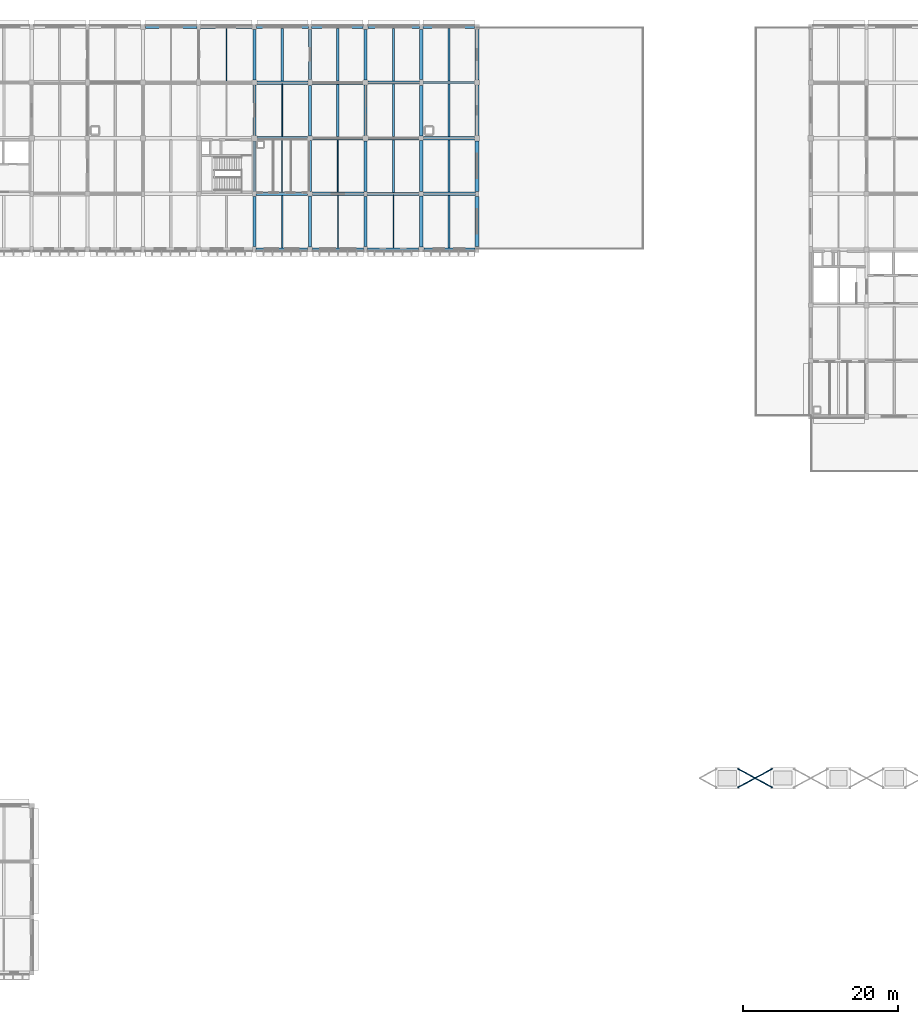
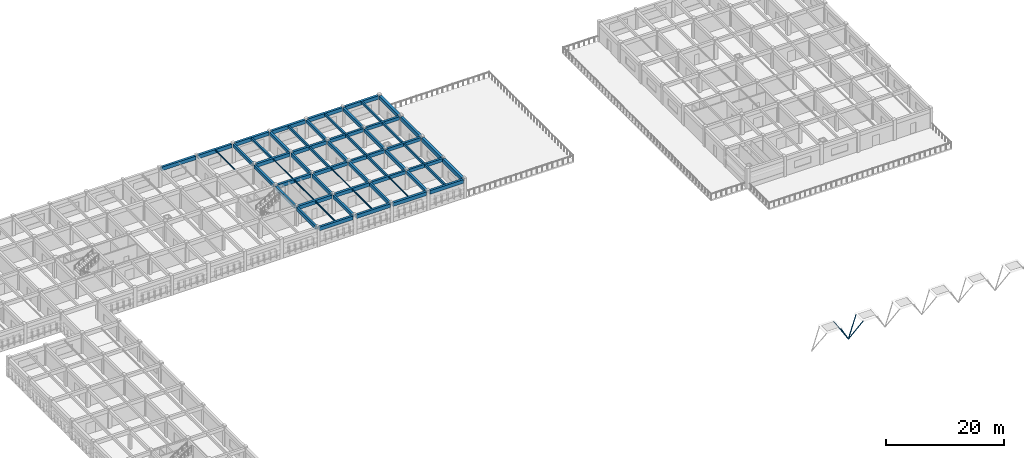
# One storey, part 7 of 38: 59 beams, 4 members.
"""IFC4 building model written with IfcOpenShell, lengths in metres."""

from ifc_helpers import new_model, si_unit, direction, frame, origin, origin_2d, place, context, subcontext, project, spatial, rectangle, hollow_circle, i_section, extrude, material, material_profile, profile_set, type_object, element, save


model = new_model("IFC4")

# Units and contexts
model_context = context("Model", 3, precision=1e-05, world=origin(), true_north=direction((0.0, 1.0)))
body_context = subcontext(model_context, "Body", "Model", "MODEL_VIEW")
ifc_project = project(units=[si_unit("LENGTHUNIT", "METRE"), si_unit("AREAUNIT", "SQUARE_METRE"), si_unit("VOLUMEUNIT", "CUBIC_METRE"), si_unit("PLANEANGLEUNIT", "RADIAN"), si_unit("MASSUNIT", "GRAM", prefix="KILO")], contexts=[model_context])

# Site, building, storey
site_placement = place(None, origin())
site = spatial("IfcSite", under=ifc_project, at=site_placement, CompositionType="ELEMENT")
building_placement = place(site_placement, origin())
building = spatial("IfcBuilding", under=site, at=building_placement, Name="Thalmaran Polytechnic", CompositionType="ELEMENT")
storey_placement = place(building_placement, frame((0.0, 0.0, 18.60009765625)))
storey = spatial("IfcBuildingStorey", under=building, at=storey_placement, Name="L04", CompositionType="ELEMENT", Elevation=18.60009765625)

# Beams
ifc_material_1 = material(Name="Concrete C40/50", Category="concrete")
ifc_material_profile_1 = material_profile(ifc_material_1, rectangle(XDim=0.449951171875, YDim=0.72509765625, at=origin_2d()), Name="RC 450x725")
ifc_profile_set_1 = profile_set([ifc_material_profile_1], Name="Concrete C40/50")
beam_type_1 = type_object("IfcBeamType", Name="BM-RC04", PredefinedType="BEAM", material=ifc_profile_set_1)
beam_1_placement = place(storey_placement, frame((65.010009765625, 100.800048828125, 3.59228515625), z_axis=(1.0, 0.0, 0.0), x_axis=(0.0, 1.0, 0.0)))
element("IfcBeam", 1, at=beam_1_placement, inside=storey, type_object=beam_type_1, Name="Grid Beam B04 L04 X(9,14)", PredefinedType="BEAM", context=body_context, shape_type="SweptSolid", body=[
    extrude(rectangle(XDim=0.449951171875, YDim=0.72509765625, at=origin_2d()), origin(), (0.0, 0.0, 1.0), 6.679931640625),
])
beam_2_placement = place(storey_placement, frame((65.139892578125, 108.0, 3.59228515625), z_axis=(1.0, 0.0, 0.0), x_axis=(0.0, 1.0, 0.0)))
element("IfcBeam", 2, at=beam_2_placement, inside=storey, type_object=beam_type_1, Name="Grid Beam B04 L04 X(9,15)", PredefinedType="BEAM", context=body_context, shape_type="SweptSolid", body=[
    extrude(rectangle(XDim=0.449951171875, YDim=0.72509765625, at=origin_2d()), origin(), (0.0, 0.0, 1.0), 6.56005859375),
])
beam_3_placement = place(storey_placement, frame((65.125, 115.199951171875, 3.59228515625), z_axis=(1.0, 0.0, 0.0), x_axis=(0.0, 1.0, 0.0)))
element("IfcBeam", 3, at=beam_3_placement, inside=storey, type_object=beam_type_1, Name="Grid Beam B04 L04 X(9,16)", PredefinedType="BEAM", context=body_context, shape_type="SweptSolid", body=[
    extrude(rectangle(XDim=0.449951171875, YDim=0.72509765625, at=origin_2d()), origin(), (0.0, 0.0, 1.0), 6.625),
])
ifc_material_profile_2 = material_profile(ifc_material_1, rectangle(XDim=0.39990234375, YDim=0.699951171875, at=origin_2d()), Name="RC 400x700")
ifc_profile_set_2 = profile_set([ifc_material_profile_2], Name="Concrete C40/50")
beam_type_2 = type_object("IfcBeamType", Name="BM-RC05", PredefinedType="BEAM", material=ifc_profile_set_2)
beam_4_placement = place(storey_placement, frame((79.409912109375, 100.800048828125, 3.5849609375), z_axis=(1.0, 0.0, 0.0), x_axis=(0.0, 1.0, 0.0)))
element("IfcBeam", 4, at=beam_4_placement, inside=storey, type_object=beam_type_2, Name="Grid Beam B05 L04 X(11,14)", PredefinedType="BEAM", context=body_context, shape_type="SweptSolid", body=[
    extrude(rectangle(XDim=0.39990234375, YDim=0.699951171875, at=origin_2d()), origin(), (0.0, 0.0, 1.0), 6.68017578125),
])
beam_5_placement = place(storey_placement, frame((79.5400390625, 108.0, 3.5849609375), z_axis=(1.0, 0.0, 0.0), x_axis=(0.0, 1.0, 0.0)))
element("IfcBeam", 5, at=beam_5_placement, inside=storey, type_object=beam_type_2, Name="Grid Beam B05 L04 X(11,15)", PredefinedType="BEAM", context=body_context, shape_type="SweptSolid", body=[
    extrude(rectangle(XDim=0.39990234375, YDim=0.699951171875, at=origin_2d()), origin(), (0.0, 0.0, 1.0), 6.56005859375),
])
beam_6_placement = place(storey_placement, frame((79.52490234375, 115.199951171875, 3.5849609375), z_axis=(1.0, 0.0, 0.0), x_axis=(0.0, 1.0, 0.0)))
element("IfcBeam", 6, at=beam_6_placement, inside=storey, type_object=beam_type_2, Name="Grid Beam B05 L04 X(11,16)", PredefinedType="BEAM", context=body_context, shape_type="SweptSolid", body=[
    extrude(rectangle(XDim=0.39990234375, YDim=0.699951171875, at=origin_2d()), origin(), (0.0, 0.0, 1.0), 6.625),
])
ifc_material_profile_3 = material_profile(ifc_material_1, rectangle(XDim=0.39990234375, YDim=0.6298828125, at=origin_2d()), Name="RC 400x630")
ifc_profile_set_3 = profile_set([ifc_material_profile_3], Name="Concrete C40/50")
beam_type_3 = type_object("IfcBeamType", Name="BM-RC07", PredefinedType="BEAM", material=ifc_profile_set_3)
beam_7_placement = place(storey_placement, frame((64.800048828125, 115.52490234375, 3.639892578125), z_axis=(0.0, 1.0, 0.0), x_axis=(-1.0, 0.0, 0.0)))
element("IfcBeam", 7, at=beam_7_placement, inside=storey, type_object=beam_type_3, Name="Grid Beam B07 L04 Y(9,16)", PredefinedType="BEAM", context=body_context, shape_type="SweptSolid", body=[
    extrude(rectangle(XDim=0.39990234375, YDim=0.6298828125, at=origin_2d()), origin(), (0.0, 0.0, 1.0), 6.565185546875),
])
beam_8_placement = place(storey_placement, frame((72.0, 115.574951171875, 3.619873046875), z_axis=(0.0, 1.0, 0.0), x_axis=(-1.0, 0.0, 0.0)))
element("IfcBeam", 8, at=beam_8_placement, inside=storey, type_object=beam_type_3, Name="Grid Beam B07 L04 Y(10,16)", PredefinedType="BEAM", context=body_context, shape_type="SweptSolid", body=[
    extrude(rectangle(XDim=0.39990234375, YDim=0.6298828125, at=origin_2d()), origin(), (0.0, 0.0, 1.0), 6.505126953125),
])
beam_9_placement = place(storey_placement, frame((79.199951171875, 115.52490234375, 3.619873046875), z_axis=(0.0, 1.0, 0.0), x_axis=(-1.0, 0.0, 0.0)))
element("IfcBeam", 9, at=beam_9_placement, inside=storey, type_object=beam_type_3, Name="Grid Beam B07 L04 Y(11,16)", PredefinedType="BEAM", context=body_context, shape_type="SweptSolid", body=[
    extrude(rectangle(XDim=0.39990234375, YDim=0.6298828125, at=origin_2d()), origin(), (0.0, 0.0, 1.0), 6.565185546875),
])
beam_10_placement = place(storey_placement, frame((86.39990234375, 115.574951171875, 3.619873046875), z_axis=(0.0, 1.0, 0.0), x_axis=(-1.0, 0.0, 0.0)))
element("IfcBeam", 10, at=beam_10_placement, inside=storey, type_object=beam_type_3, Name="Grid Beam B07 L04 Y(12,16)", PredefinedType="BEAM", context=body_context, shape_type="SweptSolid", body=[
    extrude(rectangle(XDim=0.39990234375, YDim=0.6298828125, at=origin_2d()), origin(), (0.0, 0.0, 1.0), 6.505126953125),
])
ifc_material_profile_4 = material_profile(ifc_material_1, rectangle(XDim=0.389892578125, YDim=0.68994140625, at=origin_2d()), Name="RC 390x690")
ifc_profile_set_4 = profile_set([ifc_material_profile_4], Name="Concrete C40/50")
beam_type_4 = type_object("IfcBeamType", Name="BM-RC09", PredefinedType="BEAM", material=ifc_profile_set_4)
beam_11_placement = place(storey_placement, frame((64.800048828125, 93.97509765625, 3.60986328125), z_axis=(0.0, 1.0, 0.0), x_axis=(-1.0, 0.0, 0.0)))
element("IfcBeam", 11, at=beam_11_placement, inside=storey, type_object=beam_type_4, Name="Grid Beam B09 L04 Y(9,13)", PredefinedType="BEAM", context=body_context, shape_type="SweptSolid", body=[
    extrude(rectangle(XDim=0.389892578125, YDim=0.68994140625, at=origin_2d()), origin(), (0.0, 0.0, 1.0), 6.5048828125),
])
beam_12_placement = place(storey_placement, frame((72.0, 93.925048828125, 3.58984375), z_axis=(0.0, 1.0, 0.0), x_axis=(-1.0, 0.0, 0.0)))
element("IfcBeam", 12, at=beam_12_placement, inside=storey, type_object=beam_type_4, Name="Grid Beam B09 L04 Y(10,13)", PredefinedType="BEAM", context=body_context, shape_type="SweptSolid", body=[
    extrude(rectangle(XDim=0.389892578125, YDim=0.68994140625, at=origin_2d()), origin(), (0.0, 0.0, 1.0), 6.56494140625),
])
beam_13_placement = place(storey_placement, frame((79.199951171875, 93.97509765625, 3.58984375), z_axis=(0.0, 1.0, 0.0), x_axis=(-1.0, 0.0, 0.0)))
element("IfcBeam", 13, at=beam_13_placement, inside=storey, type_object=beam_type_4, Name="Grid Beam B09 L04 Y(11,13)", PredefinedType="BEAM", context=body_context, shape_type="SweptSolid", body=[
    extrude(rectangle(XDim=0.389892578125, YDim=0.68994140625, at=origin_2d()), origin(), (0.0, 0.0, 1.0), 6.5048828125),
])
beam_14_placement = place(storey_placement, frame((86.39990234375, 93.925048828125, 3.58984375), z_axis=(0.0, 1.0, 0.0), x_axis=(-1.0, 0.0, 0.0)))
element("IfcBeam", 14, at=beam_14_placement, inside=storey, type_object=beam_type_4, Name="Grid Beam B09 L04 Y(12,13)", PredefinedType="BEAM", context=body_context, shape_type="SweptSolid", body=[
    extrude(rectangle(XDim=0.389892578125, YDim=0.68994140625, at=origin_2d()), origin(), (0.0, 0.0, 1.0), 6.56494140625),
])
ifc_material_profile_5 = material_profile(ifc_material_1, rectangle(XDim=0.389892578125, YDim=0.695068359375, at=origin_2d()), Name="RC 390x695")
ifc_profile_set_5 = profile_set([ifc_material_profile_5], Name="Concrete C40/50")
beam_type_5 = type_object("IfcBeamType", Name="BM-RC10", PredefinedType="BEAM", material=ifc_profile_set_5)
beam_15_placement = place(storey_placement, frame((64.800048828125, 108.340087890625, 3.607421875), z_axis=(0.0, 1.0, 0.0), x_axis=(-1.0, 0.0, 0.0)))
element("IfcBeam", 15, at=beam_15_placement, inside=storey, type_object=beam_type_5, Name="Grid Beam B10 L04 Y(9,15)", PredefinedType="BEAM", context=body_context, shape_type="SweptSolid", body=[
    extrude(rectangle(XDim=0.389892578125, YDim=0.695068359375, at=origin_2d()), origin(), (0.0, 0.0, 1.0), 6.534912109375),
])
beam_16_placement = place(storey_placement, frame((72.0, 108.300048828125, 3.58740234375), z_axis=(0.0, 1.0, 0.0), x_axis=(-1.0, 0.0, 0.0)))
element("IfcBeam", 16, at=beam_16_placement, inside=storey, type_object=beam_type_5, Name="Grid Beam B10 L04 Y(10,15)", PredefinedType="BEAM", context=body_context, shape_type="SweptSolid", body=[
    extrude(rectangle(XDim=0.389892578125, YDim=0.695068359375, at=origin_2d()), origin(), (0.0, 0.0, 1.0), 6.52490234375),
])
beam_17_placement = place(storey_placement, frame((79.199951171875, 108.340087890625, 3.58740234375), z_axis=(0.0, 1.0, 0.0), x_axis=(-1.0, 0.0, 0.0)))
element("IfcBeam", 17, at=beam_17_placement, inside=storey, type_object=beam_type_5, Name="Grid Beam B10 L04 Y(11,15)", PredefinedType="BEAM", context=body_context, shape_type="SweptSolid", body=[
    extrude(rectangle(XDim=0.389892578125, YDim=0.695068359375, at=origin_2d()), origin(), (0.0, 0.0, 1.0), 6.534912109375),
])
beam_18_placement = place(storey_placement, frame((86.39990234375, 108.300048828125, 3.58740234375), z_axis=(0.0, 1.0, 0.0), x_axis=(-1.0, 0.0, 0.0)))
element("IfcBeam", 18, at=beam_18_placement, inside=storey, type_object=beam_type_5, Name="Grid Beam B10 L04 Y(12,15)", PredefinedType="BEAM", context=body_context, shape_type="SweptSolid", body=[
    extrude(rectangle(XDim=0.389892578125, YDim=0.695068359375, at=origin_2d()), origin(), (0.0, 0.0, 1.0), 6.52490234375),
])
ifc_material_profile_6 = material_profile(ifc_material_1, rectangle(XDim=0.300048828125, YDim=0.5, at=origin_2d()), Name="RC 300x500")
ifc_profile_set_6 = profile_set([ifc_material_profile_6], Name="Concrete C40/50")
beam_type_6 = type_object("IfcBeamType", Name="BM-RC11", PredefinedType="JOIST", material=ifc_profile_set_6)
beam_19_placement = place(storey_placement, frame((68.39990234375, 115.425048828125, 3.704833984375), z_axis=(0.0, 1.0, 0.0), x_axis=(-1.0, 0.0, 0.0)))
element("IfcBeam", 19, at=beam_19_placement, inside=storey, type_object=beam_type_6, Name="Secondary Floor Rib RB01 L04 (9,16)", PredefinedType="JOIST", context=body_context, shape_type="SweptSolid", body=[
    extrude(rectangle(XDim=0.300048828125, YDim=0.5, at=origin_2d()), origin(), (0.0, 0.0, 1.0), 6.75),
])
beam_20_placement = place(storey_placement, frame((75.60009765625, 108.219970703125, 3.684814453125), z_axis=(0.0, 1.0, 0.0), x_axis=(-1.0, 0.0, 0.0)))
element("IfcBeam", 20, at=beam_20_placement, inside=storey, type_object=beam_type_6, Name="Secondary Floor Rib RB01 L04 (10,15)", PredefinedType="JOIST", context=body_context, shape_type="SweptSolid", body=[
    extrude(rectangle(XDim=0.300048828125, YDim=0.5, at=origin_2d()), origin(), (0.0, 0.0, 1.0), 6.760009765625),
])
beam_21_placement = place(storey_placement, frame((82.800048828125, 101.0, 3.684814453125), z_axis=(0.0, 1.0, 0.0), x_axis=(-1.0, 0.0, 0.0)))
element("IfcBeam", 21, at=beam_21_placement, inside=storey, type_object=beam_type_6, Name="Secondary Floor Rib RB01 L04 (11,14)", PredefinedType="JOIST", context=body_context, shape_type="SweptSolid", body=[
    extrude(rectangle(XDim=0.300048828125, YDim=0.5, at=origin_2d()), origin(), (0.0, 0.0, 1.0), 6.800048828125),
])
beam_22_placement = place(storey_placement, frame((90.0, 93.824951171875, 3.684814453125), z_axis=(0.0, 1.0, 0.0), x_axis=(-1.0, 0.0, 0.0)))
element("IfcBeam", 22, at=beam_22_placement, inside=storey, type_object=beam_type_6, Name="Secondary Floor Rib RB01 L04 (12,13)", PredefinedType="JOIST", context=body_context, shape_type="SweptSolid", body=[
    extrude(rectangle(XDim=0.300048828125, YDim=0.5, at=origin_2d()), origin(), (0.0, 0.0, 1.0), 6.76513671875),
])
ifc_material_profile_7 = material_profile(ifc_material_1, rectangle(XDim=0.300048828125, YDim=0.449951171875, at=origin_2d()), Name="RC 300x450")
ifc_profile_set_7 = profile_set([ifc_material_profile_7], Name="Concrete C40/50")
beam_type_7 = type_object("IfcBeamType", Name="BM-RC12", PredefinedType="JOIST", material=ifc_profile_set_7)
beam_23_placement = place(storey_placement, frame((82.800048828125, 115.39990234375, 3.7099609375), z_axis=(0.0, 1.0, 0.0), x_axis=(-1.0, 0.0, 0.0)))
element("IfcBeam", 23, at=beam_23_placement, inside=storey, type_object=beam_type_7, Name="Secondary Floor Rib RB02 L04 (11,16)", PredefinedType="JOIST", context=body_context, shape_type="SweptSolid", body=[
    extrude(rectangle(XDim=0.300048828125, YDim=0.449951171875, at=origin_2d()), origin(), (0.0, 0.0, 1.0), 6.775146484375),
])
beam_24_placement = place(storey_placement, frame((90.0, 108.2099609375, 3.7099609375), z_axis=(0.0, 1.0, 0.0), x_axis=(-1.0, 0.0, 0.0)))
element("IfcBeam", 24, at=beam_24_placement, inside=storey, type_object=beam_type_7, Name="Secondary Floor Rib RB02 L04 (12,15)", PredefinedType="JOIST", context=body_context, shape_type="SweptSolid", body=[
    extrude(rectangle(XDim=0.300048828125, YDim=0.449951171875, at=origin_2d()), origin(), (0.0, 0.0, 1.0), 6.780029296875),
])
ifc_material_2 = material(Name="Steel S355", Category="steel")
ifc_material_profile_8 = material_profile(ifc_material_2, i_section(OverallWidth=0.159912109375, OverallDepth=0.330078125, WebThickness=0.007568359375, FlangeThickness=0.011474609375, at=origin_2d()), Name="IPE 330")
ifc_profile_set_8 = profile_set([ifc_material_profile_8], Name="Steel S355")
beam_type_8 = type_object("IfcBeamType", Name="BM-SJ02", PredefinedType="JOIST", material=ifc_profile_set_8)
beam_25_placement = place(storey_placement, frame((68.39990234375, 93.824951171875, 3.789794921875), z_axis=(0.0, 1.0, 0.0), x_axis=(-1.0, 0.0, 0.0)))
element("IfcBeam", 25, at=beam_25_placement, inside=storey, type_object=beam_type_8, Name="Secondary Floor Rib SJ02 L04 (9,13)", PredefinedType="JOIST", context=body_context, shape_type="SweptSolid", body=[
    extrude(i_section(OverallWidth=0.159912109375, OverallDepth=0.330078125, WebThickness=0.007568359375, FlangeThickness=0.011474609375, at=origin_2d()), origin(), (0.0, 0.0, 1.0), 6.75),
])
ifc_material_profile_9 = material_profile(ifc_material_2, i_section(OverallWidth=0.135009765625, OverallDepth=0.27001953125, WebThickness=0.006591796875, FlangeThickness=0.01025390625, at=origin_2d()), Name="IPE 270")
ifc_profile_set_9 = profile_set([ifc_material_profile_9], Name="Steel S355")
beam_type_9 = type_object("IfcBeamType", Name="BM-SJ03", PredefinedType="JOIST", material=ifc_profile_set_9)
beam_26_placement = place(storey_placement, frame((68.39990234375, 101.02490234375, 3.81982421875), z_axis=(0.0, 1.0, 0.0), x_axis=(-1.0, 0.0, 0.0)))
element("IfcBeam", 26, at=beam_26_placement, inside=storey, type_object=beam_type_9, Name="Secondary Floor Rib SJ03 L04 (9,14)", PredefinedType="JOIST", context=body_context, shape_type="SweptSolid", body=[
    extrude(i_section(OverallWidth=0.135009765625, OverallDepth=0.27001953125, WebThickness=0.006591796875, FlangeThickness=0.01025390625, at=origin_2d()), origin(), (0.0, 0.0, 1.0), 6.75),
])
beam_27_placement = place(storey_placement, frame((75.60009765625, 93.824951171875, 3.7998046875), z_axis=(0.0, 1.0, 0.0), x_axis=(-1.0, 0.0, 0.0)))
element("IfcBeam", 27, at=beam_27_placement, inside=storey, type_object=beam_type_9, Name="Secondary Floor Rib SJ03 L04 (10,13)", PredefinedType="JOIST", context=body_context, shape_type="SweptSolid", body=[
    extrude(i_section(OverallWidth=0.135009765625, OverallDepth=0.27001953125, WebThickness=0.006591796875, FlangeThickness=0.01025390625, at=origin_2d()), origin(), (0.0, 0.0, 1.0), 6.755126953125),
])
ifc_material_profile_10 = material_profile(ifc_material_2, i_section(OverallWidth=0.110107421875, OverallDepth=0.219970703125, WebThickness=0.005859375, FlangeThickness=0.00927734375, at=origin_2d()), Name="IPE 220")
ifc_profile_set_10 = profile_set([ifc_material_profile_10], Name="Steel S355")
beam_type_10 = type_object("IfcBeamType", Name="BM-SJ04", PredefinedType="JOIST", material=ifc_profile_set_10)
beam_28_placement = place(storey_placement, frame((61.199951171875, 115.429931640625, 3.844970703125), z_axis=(0.0, 1.0, 0.0), x_axis=(-1.0, 0.0, 0.0)))
element("IfcBeam", 28, at=beam_28_placement, inside=storey, type_object=beam_type_10, Name="Secondary Floor Rib SJ04 L04 (8,16)", PredefinedType="JOIST", context=body_context, shape_type="SweptSolid", body=[
    extrude(i_section(OverallWidth=0.110107421875, OverallDepth=0.219970703125, WebThickness=0.005859375, FlangeThickness=0.00927734375, at=origin_2d()), origin(), (0.0, 0.0, 1.0), 6.7451171875),
])
beam_29_placement = place(storey_placement, frame((68.39990234375, 108.22509765625, 3.844970703125), z_axis=(0.0, 1.0, 0.0), x_axis=(-1.0, 0.0, 0.0)))
element("IfcBeam", 29, at=beam_29_placement, inside=storey, type_object=beam_type_10, Name="Secondary Floor Rib SJ04 L04 (9,15)", PredefinedType="JOIST", context=body_context, shape_type="SweptSolid", body=[
    extrude(i_section(OverallWidth=0.110107421875, OverallDepth=0.219970703125, WebThickness=0.005859375, FlangeThickness=0.00927734375, at=origin_2d()), origin(), (0.0, 0.0, 1.0), 6.75),
])
beam_30_placement = place(storey_placement, frame((75.60009765625, 101.02001953125, 3.824951171875), z_axis=(0.0, 1.0, 0.0), x_axis=(-1.0, 0.0, 0.0)))
element("IfcBeam", 30, at=beam_30_placement, inside=storey, type_object=beam_type_10, Name="Secondary Floor Rib SJ04 L04 (10,14)", PredefinedType="JOIST", context=body_context, shape_type="SweptSolid", body=[
    extrude(i_section(OverallWidth=0.110107421875, OverallDepth=0.219970703125, WebThickness=0.005859375, FlangeThickness=0.00927734375, at=origin_2d()), origin(), (0.0, 0.0, 1.0), 6.760009765625),
])
beam_31_placement = place(storey_placement, frame((82.800048828125, 93.824951171875, 3.824951171875), z_axis=(0.0, 1.0, 0.0), x_axis=(-1.0, 0.0, 0.0)))
element("IfcBeam", 31, at=beam_31_placement, inside=storey, type_object=beam_type_10, Name="Secondary Floor Rib SJ04 L04 (11,13)", PredefinedType="JOIST", context=body_context, shape_type="SweptSolid", body=[
    extrude(i_section(OverallWidth=0.110107421875, OverallDepth=0.219970703125, WebThickness=0.005859375, FlangeThickness=0.00927734375, at=origin_2d()), origin(), (0.0, 0.0, 1.0), 6.775146484375),
])
ifc_material_profile_11 = material_profile(ifc_material_1, rectangle(XDim=0.449951171875, YDim=0.7548828125, at=origin_2d()), Name="RC 450x755")
ifc_profile_set_11 = profile_set([ifc_material_profile_11], Name="Concrete C40/50")
beam_type_11 = type_object("IfcBeamType", Name="BM-SP02", PredefinedType="SPANDREL", material=ifc_profile_set_11)
for number, where, z_axis, x_axis, name in (
    (32, (50.7099609375, 122.39990234375, 3.577392578125), (1.0, 0.0, 0.0), (0.0, 1.0, 0.0), "Grid Beam SP02 L04 X(7,17)"),
    (33, (57.81005859375, 122.39990234375, 3.577392578125), (1.0, 0.0, 0.0), (0.0, 1.0, 0.0), "Grid Beam SP02 L04 X(8,17)"),
):
    element("IfcBeam", number, at=place(storey_placement, frame(where, z_axis=z_axis, x_axis=x_axis)), inside=storey, type_object=beam_type_11, Name=name, PredefinedType="SPANDREL", context=body_context, shape_type="SweptSolid", body=[
        extrude(rectangle(XDim=0.449951171875, YDim=0.7548828125, at=origin_2d()), origin(), (0.0, 0.0, 1.0), 6.679931640625),
    ])
beam_32_placement = place(storey_placement, frame((65.050048828125, 93.60009765625, 3.577392578125), z_axis=(1.0, 0.0, 0.0), x_axis=(0.0, 1.0, 0.0)))
element("IfcBeam", 34, at=beam_32_placement, inside=storey, type_object=beam_type_11, Name="Grid Beam SP02 L04 X(9,13)", PredefinedType="SPANDREL", context=body_context, shape_type="SweptSolid", body=[
    extrude(rectangle(XDim=0.449951171875, YDim=0.7548828125, at=origin_2d()), origin(), (0.0, 0.0, 1.0), 6.625),
])
beam_33_placement = place(storey_placement, frame((65.110107421875, 122.39990234375, 3.577392578125), z_axis=(1.0, 0.0, 0.0), x_axis=(0.0, 1.0, 0.0)))
element("IfcBeam", 35, at=beam_33_placement, inside=storey, type_object=beam_type_11, Name="Grid Beam SP02 L04 X(9,17)", PredefinedType="SPANDREL", context=body_context, shape_type="SweptSolid", body=[
    extrude(rectangle(XDim=0.449951171875, YDim=0.7548828125, at=origin_2d()), origin(), (0.0, 0.0, 1.0), 6.679931640625),
])
beam_34_placement = place(storey_placement, frame((72.324951171875, 93.60009765625, 3.557373046875), z_axis=(1.0, 0.0, 0.0), x_axis=(0.0, 1.0, 0.0)))
element("IfcBeam", 36, at=beam_34_placement, inside=storey, type_object=beam_type_11, Name="Grid Beam SP02 L04 X(10,13)", PredefinedType="SPANDREL", context=body_context, shape_type="SweptSolid", body=[
    extrude(rectangle(XDim=0.449951171875, YDim=0.7548828125, at=origin_2d()), origin(), (0.0, 0.0, 1.0), 6.625),
])
beam_35_placement = place(storey_placement, frame((72.2099609375, 122.39990234375, 3.557373046875), z_axis=(1.0, 0.0, 0.0), x_axis=(0.0, 1.0, 0.0)))
element("IfcBeam", 37, at=beam_35_placement, inside=storey, type_object=beam_type_11, Name="Grid Beam SP02 L04 X(10,17)", PredefinedType="SPANDREL", context=body_context, shape_type="SweptSolid", body=[
    extrude(rectangle(XDim=0.449951171875, YDim=0.7548828125, at=origin_2d()), origin(), (0.0, 0.0, 1.0), 6.679931640625),
])
beam_36_placement = place(storey_placement, frame((79.449951171875, 93.60009765625, 3.557373046875), z_axis=(1.0, 0.0, 0.0), x_axis=(0.0, 1.0, 0.0)))
element("IfcBeam", 38, at=beam_36_placement, inside=storey, type_object=beam_type_11, Name="Grid Beam SP02 L04 X(11,13)", PredefinedType="SPANDREL", context=body_context, shape_type="SweptSolid", body=[
    extrude(rectangle(XDim=0.449951171875, YDim=0.7548828125, at=origin_2d()), origin(), (0.0, 0.0, 1.0), 6.625),
])
beam_37_placement = place(storey_placement, frame((79.510009765625, 122.39990234375, 3.557373046875), z_axis=(1.0, 0.0, 0.0), x_axis=(0.0, 1.0, 0.0)))
element("IfcBeam", 39, at=beam_37_placement, inside=storey, type_object=beam_type_11, Name="Grid Beam SP02 L04 X(11,17)", PredefinedType="SPANDREL", context=body_context, shape_type="SweptSolid", body=[
    extrude(rectangle(XDim=0.449951171875, YDim=0.7548828125, at=origin_2d()), origin(), (0.0, 0.0, 1.0), 6.679931640625),
])
beam_38_placement = place(storey_placement, frame((86.72509765625, 93.60009765625, 3.557373046875), z_axis=(1.0, 0.0, 0.0), x_axis=(0.0, 1.0, 0.0)))
element("IfcBeam", 40, at=beam_38_placement, inside=storey, type_object=beam_type_11, Name="Grid Beam SP02 L04 X(12,13)", PredefinedType="SPANDREL", context=body_context, shape_type="SweptSolid", body=[
    extrude(rectangle(XDim=0.449951171875, YDim=0.7548828125, at=origin_2d()), origin(), (0.0, 0.0, 1.0), 6.625),
])
beam_39_placement = place(storey_placement, frame((86.610107421875, 122.39990234375, 3.557373046875), z_axis=(1.0, 0.0, 0.0), x_axis=(0.0, 1.0, 0.0)))
element("IfcBeam", 41, at=beam_39_placement, inside=storey, type_object=beam_type_11, Name="Grid Beam SP02 L04 X(12,17)", PredefinedType="SPANDREL", context=body_context, shape_type="SweptSolid", body=[
    extrude(rectangle(XDim=0.449951171875, YDim=0.7548828125, at=origin_2d()), origin(), (0.0, 0.0, 1.0), 6.679931640625),
])
ifc_material_profile_12 = material_profile(ifc_material_1, rectangle(XDim=0.5, YDim=0.804931640625, at=origin_2d()), Name="RC 500x805")
ifc_profile_set_12 = profile_set([ifc_material_profile_12], Name="Concrete C40/50")
beam_type_12 = type_object("IfcBeamType", Name="BM-SP03", PredefinedType="SPANDREL", material=ifc_profile_set_12)
beam_40_placement = place(storey_placement, frame((93.60009765625, 93.97509765625, 3.532470703125), z_axis=(0.0, 1.0, 0.0), x_axis=(-1.0, 0.0, 0.0)))
element("IfcBeam", 42, at=beam_40_placement, inside=storey, type_object=beam_type_12, Name="Grid Beam SP03 L04 Y(13,13)", PredefinedType="SPANDREL", context=body_context, shape_type="SweptSolid", body=[
    extrude(rectangle(XDim=0.5, YDim=0.804931640625, at=origin_2d()), origin(), (0.0, 0.0, 1.0), 6.5048828125),
])
beam_41_placement = place(storey_placement, frame((93.60009765625, 101.1201171875, 3.532470703125), z_axis=(0.0, 1.0, 0.0), x_axis=(-1.0, 0.0, 0.0)))
element("IfcBeam", 43, at=beam_41_placement, inside=storey, type_object=beam_type_12, Name="Grid Beam SP03 L04 Y(13,14)", PredefinedType="SPANDREL", context=body_context, shape_type="SweptSolid", body=[
    extrude(rectangle(XDim=0.5, YDim=0.804931640625, at=origin_2d()), origin(), (0.0, 0.0, 1.0), 6.539794921875),
])
beam_42_placement = place(storey_placement, frame((93.60009765625, 108.340087890625, 3.532470703125), z_axis=(0.0, 1.0, 0.0), x_axis=(-1.0, 0.0, 0.0)))
element("IfcBeam", 44, at=beam_42_placement, inside=storey, type_object=beam_type_12, Name="Grid Beam SP03 L04 Y(13,15)", PredefinedType="SPANDREL", context=body_context, shape_type="SweptSolid", body=[
    extrude(rectangle(XDim=0.5, YDim=0.804931640625, at=origin_2d()), origin(), (0.0, 0.0, 1.0), 6.534912109375),
])
beam_43_placement = place(storey_placement, frame((93.60009765625, 115.52490234375, 3.532470703125), z_axis=(0.0, 1.0, 0.0), x_axis=(-1.0, 0.0, 0.0)))
element("IfcBeam", 45, at=beam_43_placement, inside=storey, type_object=beam_type_12, Name="Grid Beam SP03 L04 Y(13,16)", PredefinedType="SPANDREL", context=body_context, shape_type="SweptSolid", body=[
    extrude(rectangle(XDim=0.5, YDim=0.804931640625, at=origin_2d()), origin(), (0.0, 0.0, 1.0), 6.565185546875),
])
ifc_material_profile_13 = material_profile(ifc_material_1, rectangle(XDim=0.43994140625, YDim=0.719970703125, at=origin_2d()), Name="RC 440x720")
ifc_profile_set_13 = profile_set([ifc_material_profile_13], Name="Concrete C40/50")
beam_type_13 = type_object("IfcBeamType", Name="BM-ZB03", PredefinedType="BEAM", material=ifc_profile_set_13)
beam_44_placement = place(storey_placement, frame((72.31005859375, 100.800048828125, 3.574951171875), z_axis=(1.0, 0.0, 0.0), x_axis=(0.0, 1.0, 0.0)))
element("IfcBeam", 46, at=beam_44_placement, inside=storey, type_object=beam_type_13, Name="Grid Beam ZB03 L04 X(10,14)", PredefinedType="BEAM", context=body_context, shape_type="SweptSolid", body=[
    extrude(rectangle(XDim=0.43994140625, YDim=0.719970703125, at=origin_2d()), origin(), (0.0, 0.0, 1.0), 6.679931640625),
])
beam_45_placement = place(storey_placement, frame((72.300048828125, 108.0, 3.574951171875), z_axis=(1.0, 0.0, 0.0), x_axis=(0.0, 1.0, 0.0)))
element("IfcBeam", 47, at=beam_45_placement, inside=storey, type_object=beam_type_13, Name="Grid Beam ZB03 L04 X(10,15)", PredefinedType="BEAM", context=body_context, shape_type="SweptSolid", body=[
    extrude(rectangle(XDim=0.43994140625, YDim=0.719970703125, at=origin_2d()), origin(), (0.0, 0.0, 1.0), 6.56005859375),
])
beam_46_placement = place(storey_placement, frame((72.25, 115.199951171875, 3.574951171875), z_axis=(1.0, 0.0, 0.0), x_axis=(0.0, 1.0, 0.0)))
element("IfcBeam", 48, at=beam_46_placement, inside=storey, type_object=beam_type_13, Name="Grid Beam ZB03 L04 X(10,16)", PredefinedType="BEAM", context=body_context, shape_type="SweptSolid", body=[
    extrude(rectangle(XDim=0.43994140625, YDim=0.719970703125, at=origin_2d()), origin(), (0.0, 0.0, 1.0), 6.625),
])
ifc_material_profile_14 = material_profile(ifc_material_1, rectangle(XDim=0.419921875, YDim=0.659912109375, at=origin_2d()), Name="RC 420x660")
ifc_profile_set_14 = profile_set([ifc_material_profile_14], Name="Concrete C40/50")
beam_type_14 = type_object("IfcBeamType", Name="BM-ZB04", PredefinedType="BEAM", material=ifc_profile_set_14)
beam_47_placement = place(storey_placement, frame((86.7099609375, 100.800048828125, 3.60498046875), z_axis=(1.0, 0.0, 0.0), x_axis=(0.0, 1.0, 0.0)))
element("IfcBeam", 49, at=beam_47_placement, inside=storey, type_object=beam_type_14, Name="Grid Beam ZB04 L04 X(12,14)", PredefinedType="BEAM", context=body_context, shape_type="SweptSolid", body=[
    extrude(rectangle(XDim=0.419921875, YDim=0.659912109375, at=origin_2d()), origin(), (0.0, 0.0, 1.0), 6.679931640625),
])
beam_48_placement = place(storey_placement, frame((86.699951171875, 108.0, 3.60498046875), z_axis=(1.0, 0.0, 0.0), x_axis=(0.0, 1.0, 0.0)))
element("IfcBeam", 50, at=beam_48_placement, inside=storey, type_object=beam_type_14, Name="Grid Beam ZB04 L04 X(12,15)", PredefinedType="BEAM", context=body_context, shape_type="SweptSolid", body=[
    extrude(rectangle(XDim=0.419921875, YDim=0.659912109375, at=origin_2d()), origin(), (0.0, 0.0, 1.0), 6.56005859375),
])
beam_49_placement = place(storey_placement, frame((86.64990234375, 115.199951171875, 3.60498046875), z_axis=(1.0, 0.0, 0.0), x_axis=(0.0, 1.0, 0.0)))
element("IfcBeam", 51, at=beam_49_placement, inside=storey, type_object=beam_type_14, Name="Grid Beam ZB04 L04 X(12,16)", PredefinedType="BEAM", context=body_context, shape_type="SweptSolid", body=[
    extrude(rectangle(XDim=0.419921875, YDim=0.659912109375, at=origin_2d()), origin(), (0.0, 0.0, 1.0), 6.625),
])
ifc_material_profile_15 = material_profile(ifc_material_1, rectangle(XDim=0.39990234375, YDim=0.695068359375, at=origin_2d()), Name="RC 400x695")
ifc_profile_set_15 = profile_set([ifc_material_profile_15], Name="Concrete C40/50")
beam_type_15 = type_object("IfcBeamType", Name="BM-ZB08", PredefinedType="BEAM", material=ifc_profile_set_15)
beam_50_placement = place(storey_placement, frame((64.800048828125, 101.1201171875, 3.607421875), z_axis=(0.0, 1.0, 0.0), x_axis=(-1.0, 0.0, 0.0)))
element("IfcBeam", 52, at=beam_50_placement, inside=storey, type_object=beam_type_15, Name="Grid Beam ZB08 L04 Y(9,14)", PredefinedType="BEAM", context=body_context, shape_type="SweptSolid", body=[
    extrude(rectangle(XDim=0.39990234375, YDim=0.695068359375, at=origin_2d()), origin(), (0.0, 0.0, 1.0), 6.539794921875),
])
beam_51_placement = place(storey_placement, frame((72.0, 101.110107421875, 3.58740234375), z_axis=(0.0, 1.0, 0.0), x_axis=(-1.0, 0.0, 0.0)))
element("IfcBeam", 53, at=beam_51_placement, inside=storey, type_object=beam_type_15, Name="Grid Beam ZB08 L04 Y(10,14)", PredefinedType="BEAM", context=body_context, shape_type="SweptSolid", body=[
    extrude(rectangle(XDim=0.39990234375, YDim=0.695068359375, at=origin_2d()), origin(), (0.0, 0.0, 1.0), 6.58984375),
])
beam_52_placement = place(storey_placement, frame((79.199951171875, 101.1201171875, 3.58740234375), z_axis=(0.0, 1.0, 0.0), x_axis=(-1.0, 0.0, 0.0)))
element("IfcBeam", 54, at=beam_52_placement, inside=storey, type_object=beam_type_15, Name="Grid Beam ZB08 L04 Y(11,14)", PredefinedType="BEAM", context=body_context, shape_type="SweptSolid", body=[
    extrude(rectangle(XDim=0.39990234375, YDim=0.695068359375, at=origin_2d()), origin(), (0.0, 0.0, 1.0), 6.539794921875),
])
beam_53_placement = place(storey_placement, frame((86.39990234375, 101.110107421875, 3.58740234375), z_axis=(0.0, 1.0, 0.0), x_axis=(-1.0, 0.0, 0.0)))
element("IfcBeam", 55, at=beam_53_placement, inside=storey, type_object=beam_type_15, Name="Grid Beam ZB08 L04 Y(12,14)", PredefinedType="BEAM", context=body_context, shape_type="SweptSolid", body=[
    extrude(rectangle(XDim=0.39990234375, YDim=0.695068359375, at=origin_2d()), origin(), (0.0, 0.0, 1.0), 6.58984375),
])
ifc_material_profile_16 = material_profile(ifc_material_1, rectangle(XDim=0.280029296875, YDim=0.47998046875, at=origin_2d()), Name="RC 280x480")
ifc_profile_set_16 = profile_set([ifc_material_profile_16], Name="Concrete C40/50")
beam_type_16 = type_object("IfcBeamType", Name="BM-ZJ01", PredefinedType="JOIST", material=ifc_profile_set_16)
beam_54_placement = place(storey_placement, frame((75.60009765625, 115.419921875, 3.69482421875), z_axis=(0.0, 1.0, 0.0), x_axis=(-1.0, 0.0, 0.0)))
element("IfcBeam", 56, at=beam_54_placement, inside=storey, type_object=beam_type_16, Name="Secondary Floor Rib ZJ01 L04 (10,16)", PredefinedType="JOIST", context=body_context, shape_type="SweptSolid", body=[
    extrude(rectangle(XDim=0.280029296875, YDim=0.47998046875, at=origin_2d()), origin(), (0.0, 0.0, 1.0), 6.755126953125),
])
beam_55_placement = place(storey_placement, frame((82.800048828125, 108.199951171875, 3.69482421875), z_axis=(0.0, 1.0, 0.0), x_axis=(-1.0, 0.0, 0.0)))
element("IfcBeam", 57, at=beam_55_placement, inside=storey, type_object=beam_type_16, Name="Secondary Floor Rib ZJ01 L04 (11,15)", PredefinedType="JOIST", context=body_context, shape_type="SweptSolid", body=[
    extrude(rectangle(XDim=0.280029296875, YDim=0.47998046875, at=origin_2d()), origin(), (0.0, 0.0, 1.0), 6.800048828125),
])
beam_56_placement = place(storey_placement, frame((90.0, 101.010009765625, 3.69482421875), z_axis=(0.0, 1.0, 0.0), x_axis=(-1.0, 0.0, 0.0)))
element("IfcBeam", 58, at=beam_56_placement, inside=storey, type_object=beam_type_16, Name="Secondary Floor Rib ZJ01 L04 (12,14)", PredefinedType="JOIST", context=body_context, shape_type="SweptSolid", body=[
    extrude(rectangle(XDim=0.280029296875, YDim=0.47998046875, at=origin_2d()), origin(), (0.0, 0.0, 1.0), 6.780029296875),
])
ifc_material_profile_17 = material_profile(ifc_material_1, rectangle(XDim=0.260009765625, YDim=0.43994140625, at=origin_2d()), Name="RC 260x440")
ifc_profile_set_17 = profile_set([ifc_material_profile_17], Name="Concrete C40/50")
beam_type_17 = type_object("IfcBeamType", Name="BM-ZJ02", PredefinedType="JOIST", material=ifc_profile_set_17)
beam_57_placement = place(storey_placement, frame((90.0, 115.409912109375, 3.71484375), z_axis=(0.0, 1.0, 0.0), x_axis=(-1.0, 0.0, 0.0)))
element("IfcBeam", 59, at=beam_57_placement, inside=storey, type_object=beam_type_17, Name="Secondary Floor Rib ZJ02 L04 (12,16)", PredefinedType="JOIST", context=body_context, shape_type="SweptSolid", body=[
    extrude(rectangle(XDim=0.260009765625, YDim=0.43994140625, at=origin_2d()), origin(), (0.0, 0.0, 1.0), 6.76513671875),
])

# Members
ifc_material_profile_18 = material_profile(ifc_material_2, hollow_circle(Radius=0.05712890625, WallThickness=0.00634765625, at=origin_2d()), Name="CHS 114.3x6.3")
ifc_profile_set_18 = profile_set([ifc_material_profile_18], Name="Steel S355")
member_type = type_object("IfcMemberType", Name="MB-SFD3", PredefinedType="BRACE", material=ifc_profile_set_18)
for number, where, z_axis, x_axis, name in (
    (60, (129.60009765625, 25.199951171875, -0.50244140625), (-0.49786890574, -0.271529701699, 0.823649302672), (0.478804352227, -0.877921632202, 0.0), "Skylight Monitor Strut 1"),
    (61, (129.60009765625, 25.199951171875, -0.50244140625), (-0.49786890574, 0.271529701699, 0.823649302672), (-0.478804352227, -0.877921632202, 0.0), "Skylight Monitor Strut 1"),
    (62, (129.60009765625, 25.199951171875, -0.50244140625), (0.497827352714, -0.271537169969, 0.823671956676), (0.47884530469, 0.877899296147, 0.0), "Skylight Monitor Strut 2"),
    (63, (129.60009765625, 25.199951171875, -0.50244140625), (0.497827352714, 0.271537169969, 0.823671956676), (-0.47884530469, 0.877899296147, 0.0), "Skylight Monitor Strut 2"),
):
    element("IfcMember", number, at=place(storey_placement, frame(where, z_axis=z_axis, x_axis=x_axis)), inside=storey, type_object=member_type, Name=name, PredefinedType="BRACE", context=body_context, shape_type="SweptSolid", body=[
        extrude(hollow_circle(Radius=0.05712890625, WallThickness=0.00634765625, at=origin_2d()), origin(), (0.0, 0.0, 1.0), 4.419189453125),
    ])

save(model, "model.ifc")
